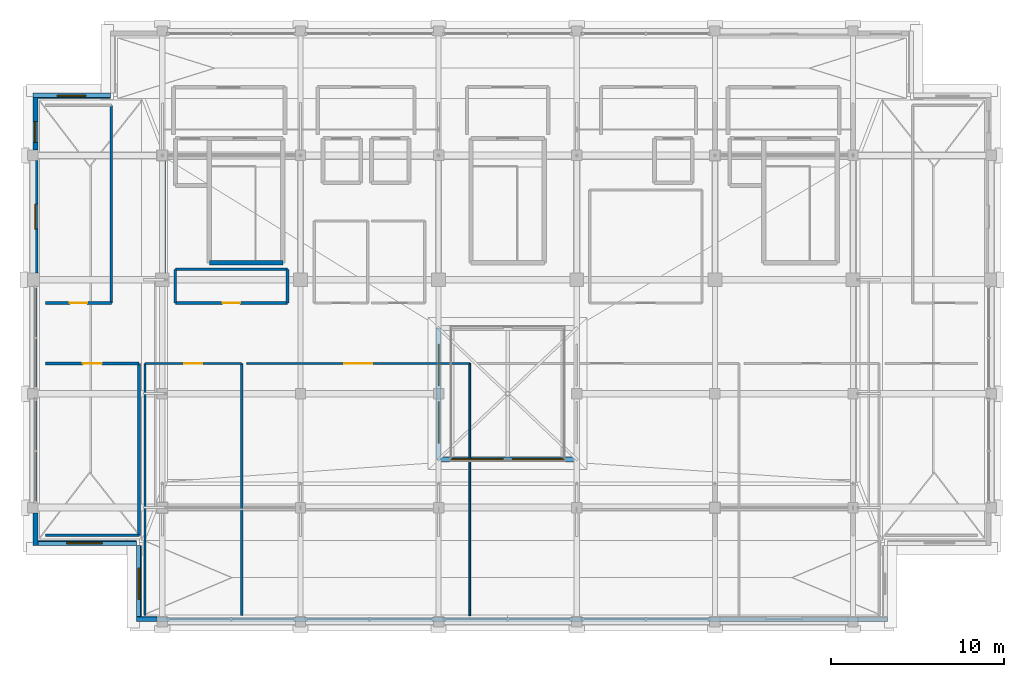
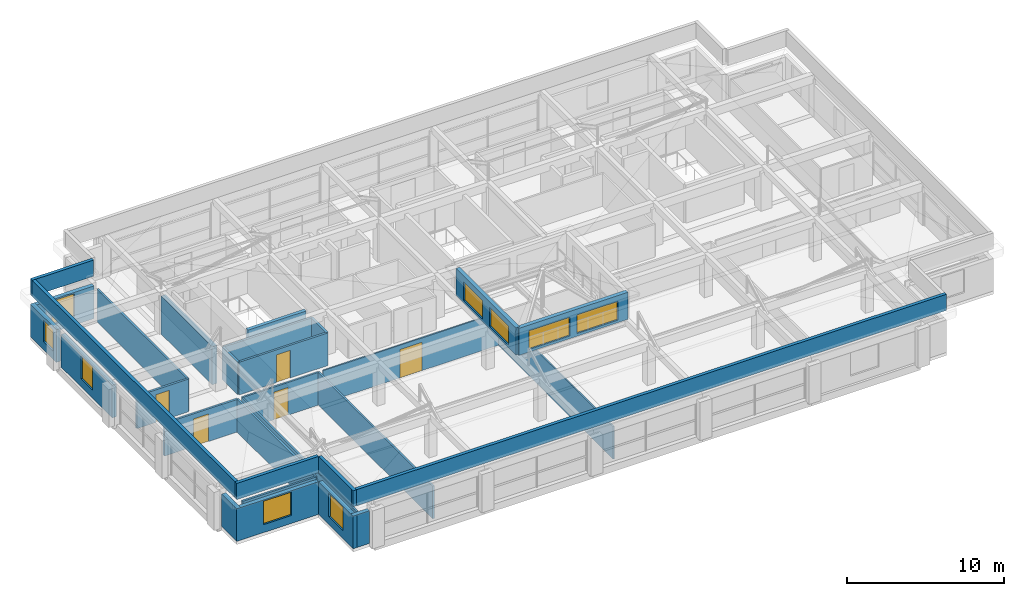
# One storey, part 34 of 39: 30 walls, 9 windows, 5 doors, 14 openings.
"""IFC4 building model written with IfcOpenShell, lengths in metres."""

from ifc_helpers import new_model, si_unit, direction, frame, frame_2d, origin, place, context, subcontext, project, spatial, rectangle, extrude, material, layer, layer_set, type_object, element, fill, save


model = new_model("IFC4")

# Units and contexts
model_context = context("Model", 3, precision=1e-05, world=origin(), true_north=direction((0.0, 1.0)))
body_context = subcontext(model_context, "Body", "Model", "MODEL_VIEW")
ifc_project = project(units=[si_unit("LENGTHUNIT", "METRE"), si_unit("AREAUNIT", "SQUARE_METRE"), si_unit("VOLUMEUNIT", "CUBIC_METRE"), si_unit("PLANEANGLEUNIT", "RADIAN"), si_unit("MASSUNIT", "GRAM", prefix="KILO")], contexts=[model_context])

# Site, building, storey
site_placement = place(None, origin())
site = spatial("IfcSite", under=ifc_project, at=site_placement, CompositionType="ELEMENT")
building_placement = place(site_placement, origin())
building = spatial("IfcBuilding", under=site, at=building_placement, Name="Akrevak Sports Hall", CompositionType="ELEMENT")
storey_placement = place(building_placement, frame((0.0, 0.0, 66.550048828125)))
storey = spatial("IfcBuildingStorey", under=building, at=storey_placement, Name="L17", CompositionType="ELEMENT", Elevation=66.550048828125)

# Wall
ifc_material_1 = material(Name="Limestone Ashlar", Category="stone")
ifc_layer_1 = layer(ifc_material_1, 0.06005859375, Name="Limestone Ashlar")
ifc_material_2 = material(Name="Mineral Wool Thermal Insulation", Category="insulation")
ifc_layer_2 = layer(ifc_material_2, 0.090087890625, Name="Mineral Wool Thermal Insulation")
ifc_material_3 = material(Name="Concrete C40/50", Category="concrete")
ifc_layer_3 = layer(ifc_material_3, 0.14990234375, Name="Concrete C40/50")
ifc_layer_set_1 = layer_set([ifc_layer_1, ifc_layer_2, ifc_layer_3], Name="Limestone Ashlar / Mineral Wool Thermal Insulation / Concrete C40/50")
wall_type_1 = type_object("IfcWallType", Name="ARC-WL-EXT-300", PredefinedType="SOLIDWALL", material=ifc_layer_set_1)
wall_1_placement = place(storey_placement, frame((58.5, 35.550048828125, 0.0), z_axis=(0.0, 0.0, 1.0), x_axis=(1.0, 0.0, 0.0)))
element("IfcWall", 1, at=wall_1_placement, inside=storey, type_object=wall_type_1, Name="Tower Stone Facade Wall L17-S01", PredefinedType="SOLIDWALL", context=body_context, shape_type="SweptSolid", body=[
    extrude(rectangle(XDim=1.199951171875, YDim=0.300048828125, at=frame_2d((0.60009765625, 0.0))), origin(), (0.0, 0.0, 1.0), 2.530029296875),
])

# Wall, opening, window
wall_2_placement = place(storey_placement, frame((57.0, 65.85009765625, 0.0), z_axis=(0.0, 0.0, 1.0), x_axis=(-1.0, 0.0, 0.0)))
wall_2 = element("IfcWall", 2, at=wall_2_placement, inside=storey, type_object=wall_type_1, Name="Tower Stone Facade Wall L17-N25", PredefinedType="SOLIDWALL", context=body_context, shape_type="SweptSolid", body=[
    extrude(rectangle(XDim=4.5, YDim=0.300048828125, at=frame_2d((2.25, 0.0))), origin(), (0.0, 0.0, 1.0), 2.530029296875),
])
opening_1_placement = place(wall_2_placement, frame((1.425048828125, 0.0, 0.6201171875)))
opening_1 = element("IfcOpeningElement", 3, at=opening_1_placement, cuts=wall_2, Name="Opening WN-58", PredefinedType="OPENING", context=body_context, shape_type="SweptSolid", body=[
    extrude(rectangle(XDim=1.64990234375, YDim=1.81005859375, at=frame_2d((0.824951171875, 0.905029296875))), frame((0.0, 0.162109375, 0.0), z_axis=(0.0, -1.0, 0.0), x_axis=(1.0, 0.0, 0.0)), (0.0, 0.0, 1.0), 0.323974609375),
])
ifc_material_4 = material(Name="Thermally Broken Bronze Frame & Double Low-E Glass", Category="glass")
window_type_1 = type_object("IfcWindowType", Name="ARC-WIN-SZ-1650x1810", PartitioningType="SINGLE_PANEL", PredefinedType="WINDOW", material=ifc_material_4)
window_1_placement = place(opening_1_placement, origin())
window_1 = element("IfcWindow", 4, at=window_1_placement, inside=storey, type_object=window_type_1, Name="Tower Window L17-N25", OverallHeight=1.81005859375, OverallWidth=1.64990234375, PartitioningType="SINGLE_PANEL", PredefinedType="WINDOW", context=body_context, shape_type="SweptSolid", body=[
    extrude(rectangle(XDim=1.64990234375, YDim=1.81005859375, at=frame_2d((0.824951171875, 0.905029296875))), frame((0.0, 0.030029296875, 0.0), z_axis=(0.0, -1.0, 0.0), x_axis=(1.0, 0.0, 0.0)), (0.0, 0.0, 1.0), 0.06005859375),
])
fill(opening_1, window_1)

wall_3_placement = place(storey_placement, frame((52.64990234375, 66.0, 0.0), z_axis=(0.0, 0.0, 1.0), x_axis=(0.0, -1.0, 0.0)))
wall_3 = element("IfcWall", 5, at=wall_3_placement, inside=storey, type_object=wall_type_1, Name="Tower Stone Facade Wall L17-W26", PredefinedType="SOLIDWALL", context=body_context, shape_type="SweptSolid", body=[
    extrude(rectangle(XDim=3.300048828125, YDim=0.300048828125, at=frame_2d((1.64990234375, 0.0))), origin(), (0.0, 0.0, 1.0), 2.530029296875),
])
opening_2_placement = place(wall_3_placement, frame((1.64990234375, 0.0, 0.6201171875)))
opening_2 = element("IfcOpeningElement", 6, at=opening_2_placement, cuts=wall_3, Name="Opening WN-45", PredefinedType="OPENING", context=body_context, shape_type="SweptSolid", body=[
    extrude(rectangle(XDim=1.199951171875, YDim=1.64990234375, at=frame_2d((0.60009765625, 0.824951171875))), frame((0.0, 0.162109375, 0.0), z_axis=(0.0, -1.0, 0.0), x_axis=(1.0, 0.0, 0.0)), (0.0, 0.0, 1.0), 0.323974609375),
])
window_type_2 = type_object("IfcWindowType", Name="ARC-WIN-SZ-1200x1650", PartitioningType="SINGLE_PANEL", PredefinedType="WINDOW", material=ifc_material_4)
window_2_placement = place(opening_2_placement, origin())
window_2 = element("IfcWindow", 7, at=window_2_placement, inside=storey, type_object=window_type_2, Name="Tower Window L17-W26", OverallHeight=1.64990234375, OverallWidth=1.199951171875, PartitioningType="SINGLE_PANEL", PredefinedType="WINDOW", context=body_context, shape_type="SweptSolid", body=[
    extrude(rectangle(XDim=1.199951171875, YDim=1.64990234375, at=frame_2d((0.60009765625, 0.824951171875))), frame((0.0, 0.030029296875, 0.0), z_axis=(0.0, -1.0, 0.0), x_axis=(1.0, 0.0, 0.0)), (0.0, 0.0, 1.0), 0.06005859375),
])
fill(opening_2, window_2)

wall_4_placement = place(storey_placement, frame((52.64990234375, 62.10009765625, 0.0), z_axis=(0.0, 0.0, 1.0), x_axis=(0.0, -1.0, 0.0)))
wall_4 = element("IfcWall", 8, at=wall_4_placement, inside=storey, type_object=wall_type_1, Name="Tower Stone Facade Wall L17-W27", PredefinedType="SOLIDWALL", context=body_context, shape_type="SweptSolid", body=[
    extrude(rectangle(XDim=6.5, YDim=0.300048828125, at=frame_2d((3.25, 0.0))), origin(), (0.0, 0.0, 1.0), 2.530029296875),
])
opening_3_placement = place(wall_4_placement, frame((2.52490234375, 0.0, 0.6201171875)))
opening_3 = element("IfcOpeningElement", 9, at=opening_3_placement, cuts=wall_4, Name="Opening WN-51", PredefinedType="OPENING", context=body_context, shape_type="SweptSolid", body=[
    extrude(rectangle(XDim=1.449951171875, YDim=1.81005859375, at=frame_2d((0.72509765625, 0.905029296875))), frame((0.0, 0.162109375, 0.0), z_axis=(0.0, -1.0, 0.0), x_axis=(1.0, 0.0, 0.0)), (0.0, 0.0, 1.0), 0.323974609375),
])
window_type_3 = type_object("IfcWindowType", Name="ARC-WIN-SZ-1450x1810", PartitioningType="SINGLE_PANEL", PredefinedType="WINDOW", material=ifc_material_4)
window_3_placement = place(opening_3_placement, origin())
window_3 = element("IfcWindow", 10, at=window_3_placement, inside=storey, type_object=window_type_3, Name="Tower Window L17-W27", OverallHeight=1.81005859375, OverallWidth=1.449951171875, PartitioningType="SINGLE_PANEL", PredefinedType="WINDOW", context=body_context, shape_type="SweptSolid", body=[
    extrude(rectangle(XDim=1.449951171875, YDim=1.81005859375, at=frame_2d((0.72509765625, 0.905029296875))), frame((0.0, 0.030029296875, 0.0), z_axis=(0.0, -1.0, 0.0), x_axis=(1.0, 0.0, 0.0)), (0.0, 0.0, 1.0), 0.06005859375),
])
fill(opening_3, window_3)

# Wall
wall_5_placement = place(storey_placement, frame((52.64990234375, 41.699951171875, 0.0), z_axis=(0.0, 0.0, 1.0), x_axis=(0.0, -1.0, 0.0)))
element("IfcWall", 11, at=wall_5_placement, inside=storey, type_object=wall_type_1, Name="Tower Stone Facade Wall L17-W30", PredefinedType="SOLIDWALL", context=body_context, shape_type="SweptSolid", body=[
    extrude(rectangle(XDim=1.89990234375, YDim=0.300048828125, at=frame_2d((0.949951171875, 0.0))), origin(), (0.0, 0.0, 1.0), 2.530029296875),
])

# Wall, opening, window
wall_6_placement = place(storey_placement, frame((52.5, 39.949951171875, 0.0), z_axis=(0.0, 0.0, 1.0), x_axis=(1.0, 0.0, 0.0)))
wall_6 = element("IfcWall", 12, at=wall_6_placement, inside=storey, type_object=wall_type_1, Name="Tower Stone Facade Wall L17-S31", PredefinedType="SOLIDWALL", context=body_context, shape_type="SweptSolid", body=[
    extrude(rectangle(XDim=6.0, YDim=0.300048828125, at=frame_2d((3.0, 0.0))), origin(), (0.0, 0.0, 1.0), 2.530029296875),
])
opening_4_placement = place(wall_6_placement, frame((1.97509765625, 0.0, 0.6201171875)))
opening_4 = element("IfcOpeningElement", 13, at=opening_4_placement, cuts=wall_6, Name="Opening WN-53", PredefinedType="OPENING", context=body_context, shape_type="SweptSolid", body=[
    extrude(rectangle(XDim=2.050048828125, YDim=1.81005859375, at=frame_2d((1.02490234375, 0.905029296875))), frame((0.0, 0.162109375, 0.0), z_axis=(0.0, -1.0, 0.0), x_axis=(1.0, 0.0, 0.0)), (0.0, 0.0, 1.0), 0.323974609375),
])
window_type_4 = type_object("IfcWindowType", Name="ARC-WIN-SZ-2050x1810", PartitioningType="SINGLE_PANEL", PredefinedType="WINDOW", material=ifc_material_4)
window_4_placement = place(opening_4_placement, origin())
window_4 = element("IfcWindow", 14, at=window_4_placement, inside=storey, type_object=window_type_4, Name="Tower Window L17-S31", OverallHeight=1.81005859375, OverallWidth=2.050048828125, PartitioningType="SINGLE_PANEL", PredefinedType="WINDOW", context=body_context, shape_type="SweptSolid", body=[
    extrude(rectangle(XDim=2.050048828125, YDim=1.81005859375, at=frame_2d((1.02490234375, 0.905029296875))), frame((0.0, 0.030029296875, 0.0), z_axis=(0.0, -1.0, 0.0), x_axis=(1.0, 0.0, 0.0)), (0.0, 0.0, 1.0), 0.06005859375),
])
fill(opening_4, window_4)

wall_7_placement = place(storey_placement, frame((58.64990234375, 39.800048828125, 0.0), z_axis=(0.0, 0.0, 1.0), x_axis=(0.0, -1.0, 0.0)))
wall_7 = element("IfcWall", 15, at=wall_7_placement, inside=storey, type_object=wall_type_1, Name="Tower Stone Facade Wall L17-W32", PredefinedType="SOLIDWALL", context=body_context, shape_type="SweptSolid", body=[
    extrude(rectangle(XDim=4.400146484375, YDim=0.300048828125, at=frame_2d((2.2001953125, 0.0))), origin(), (0.0, 0.0, 1.0), 2.530029296875),
])
opening_5_placement = place(wall_7_placement, frame((1.300048828125, 0.0, 0.6201171875)))
opening_5 = element("IfcOpeningElement", 16, at=opening_5_placement, cuts=wall_7, Name="Opening WN-54", PredefinedType="OPENING", context=body_context, shape_type="SweptSolid", body=[
    extrude(rectangle(XDim=1.800048828125, YDim=1.81005859375, at=frame_2d((0.89990234375, 0.905029296875))), frame((0.0, 0.162109375, 0.0), z_axis=(0.0, -1.0, 0.0), x_axis=(1.0, 0.0, 0.0)), (0.0, 0.0, 1.0), 0.323974609375),
])
window_type_5 = type_object("IfcWindowType", Name="ARC-WIN-SZ-1800x1810", PartitioningType="SINGLE_PANEL", PredefinedType="WINDOW", material=ifc_material_4)
window_5_placement = place(opening_5_placement, origin())
window_5 = element("IfcWindow", 17, at=window_5_placement, inside=storey, type_object=window_type_5, Name="Tower Window L17-W32", OverallHeight=1.81005859375, OverallWidth=1.800048828125, PartitioningType="SINGLE_PANEL", PredefinedType="WINDOW", context=body_context, shape_type="SweptSolid", body=[
    extrude(rectangle(XDim=1.800048828125, YDim=1.81005859375, at=frame_2d((0.89990234375, 0.905029296875))), frame((0.0, 0.030029296875, 0.0), z_axis=(0.0, -1.0, 0.0), x_axis=(1.0, 0.0, 0.0)), (0.0, 0.0, 1.0), 0.06005859375),
])
fill(opening_5, window_5)

# Walls
ifc_layer_4 = layer(ifc_material_1, 0.050048828125, Name="Limestone Ashlar")
ifc_layer_5 = layer(ifc_material_2, 0.0400390625, Name="Mineral Wool Thermal Insulation")
ifc_layer_6 = layer(ifc_material_3, 0.14990234375, Name="Concrete C40/50")
ifc_layer_set_2 = layer_set([ifc_layer_4, ifc_layer_5, ifc_layer_6], Name="Limestone Ashlar / Mineral Wool Thermal Insulation / Concrete C40/50")
wall_type_2 = type_object("IfcWallType", Name="ARC-WL-PAR-240", PredefinedType="PARAPET", material=ifc_layer_set_2)
wall_8_placement = place(storey_placement, frame((58.5, 35.52001953125, 3.25), z_axis=(0.0, 0.0, 1.0), x_axis=(1.0, 0.0, 0.0)))
element("IfcWall", 18, at=wall_8_placement, inside=storey, type_object=wall_type_2, Name="Crown Main Roof Balustrade Parapet 1", PredefinedType="PARAPET", context=body_context, shape_type="SweptSolid", body=[
    extrude(rectangle(XDim=43.5, YDim=0.239990234375, at=frame_2d((21.75, 0.0))), origin(), (0.0, 0.0, 1.0), 1.25),
])
wall_9_placement = place(storey_placement, frame((57.0, 65.8798828125, 3.25), z_axis=(0.0, 0.0, 1.0), x_axis=(-1.0, 0.0, 0.0)))
element("IfcWall", 19, at=wall_9_placement, inside=storey, type_object=wall_type_2, Name="Crown Main Roof Balustrade Parapet 9", PredefinedType="PARAPET", context=body_context, shape_type="SweptSolid", body=[
    extrude(rectangle(XDim=4.5, YDim=0.239990234375, at=frame_2d((2.25, 0.0))), origin(), (0.0, 0.0, 1.0), 1.25),
])
wall_10_placement = place(storey_placement, frame((52.6201171875, 66.0, 3.25), z_axis=(0.0, 0.0, 1.0), x_axis=(0.0, -1.0, 0.0)))
element("IfcWall", 20, at=wall_10_placement, inside=storey, type_object=wall_type_2, Name="Crown Main Roof Balustrade Parapet 10", PredefinedType="PARAPET", context=body_context, shape_type="SweptSolid", body=[
    extrude(rectangle(XDim=26.199951171875, YDim=0.239990234375, at=frame_2d((13.10009765625, 0.0))), origin(), (0.0, 0.0, 1.0), 1.25),
])
wall_11_placement = place(storey_placement, frame((52.5, 39.919921875, 3.25), z_axis=(0.0, 0.0, 1.0), x_axis=(1.0, 0.0, 0.0)))
element("IfcWall", 21, at=wall_11_placement, inside=storey, type_object=wall_type_2, Name="Crown Main Roof Balustrade Parapet 11", PredefinedType="PARAPET", context=body_context, shape_type="SweptSolid", body=[
    extrude(rectangle(XDim=6.0, YDim=0.239990234375, at=frame_2d((3.0, 0.0))), origin(), (0.0, 0.0, 1.0), 1.25),
])
wall_12_placement = place(storey_placement, frame((58.6201171875, 39.800048828125, 3.25), z_axis=(0.0, 0.0, 1.0), x_axis=(0.0, -1.0, 0.0)))
element("IfcWall", 22, at=wall_12_placement, inside=storey, type_object=wall_type_2, Name="Crown Main Roof Balustrade Parapet 12", PredefinedType="PARAPET", context=body_context, shape_type="SweptSolid", body=[
    extrude(rectangle(XDim=4.400146484375, YDim=0.239990234375, at=frame_2d((2.2001953125, 0.0))), origin(), (0.0, 0.0, 1.0), 1.25),
])

# Wall, openings, windows
ifc_layer_7 = layer(ifc_material_1, 0.06005859375, Name="Limestone Ashlar")
ifc_layer_8 = layer(ifc_material_2, 0.0400390625, Name="Mineral Wool Thermal Insulation")
ifc_layer_9 = layer(ifc_material_3, 0.179931640625, Name="Concrete C40/50")
ifc_layer_set_3 = layer_set([ifc_layer_7, ifc_layer_8, ifc_layer_9], Name="Limestone Ashlar / Mineral Wool Thermal Insulation / Concrete C40/50")
wall_type_3 = type_object("IfcWallType", Name="ARC-WL-PAR-280", PredefinedType="PARAPET", material=ifc_layer_set_3)
wall_13_placement = place(storey_placement, frame((76.0, 44.800048828125, 3.25), z_axis=(0.0, 0.0, 1.0), x_axis=(1.0, 0.0, 0.0)))
wall_13 = element("IfcWall", 23, at=wall_13_placement, inside=storey, type_object=wall_type_3, Name="Crown Beaux-Arts Cupola Lantern Drum S Wall", PredefinedType="PARAPET", context=body_context, shape_type="SweptSolid", body=[
    extrude(rectangle(XDim=8.0, YDim=0.280029296875, at=frame_2d((4.0, 0.0))), origin(), (0.0, 0.0, 1.0), 2.099853515625),
])
opening_6_placement = place(wall_13_placement, frame((0.739990234375, 0.0, 0.199951171875)))
opening_6 = element("IfcOpeningElement", 24, at=opening_6_placement, cuts=wall_13, Name="Opening WN-62", PredefinedType="OPENING", context=body_context, shape_type="SweptSolid", body=[
    extrude(rectangle(XDim=3.0, YDim=1.449951171875, at=frame_2d((1.5, 0.72509765625))), frame((0.0, 0.15185546875, 0.0), z_axis=(0.0, -1.0, 0.0), x_axis=(1.0, 0.0, 0.0)), (0.0, 0.0, 1.0), 0.303955078125),
])
opening_7_placement = place(wall_13_placement, frame((4.260009765625, 0.0, 0.199951171875)))
opening_7 = element("IfcOpeningElement", 25, at=opening_7_placement, cuts=wall_13, Name="Opening WN-62", PredefinedType="OPENING", context=body_context, shape_type="SweptSolid", body=[
    extrude(rectangle(XDim=3.0, YDim=1.449951171875, at=frame_2d((1.5, 0.72509765625))), frame((0.0, 0.15185546875, 0.0), z_axis=(0.0, -1.0, 0.0), x_axis=(1.0, 0.0, 0.0)), (0.0, 0.0, 1.0), 0.303955078125),
])
window_type_6 = type_object("IfcWindowType", Name="ARC-WIN-SZ-3000x1450", PartitioningType="SINGLE_PANEL", PredefinedType="SKYLIGHT", material=ifc_material_4)
window_6_placement = place(opening_6_placement, origin())
window_6 = element("IfcWindow", 26, at=window_6_placement, inside=storey, type_object=window_type_6, Name="Cupola Lantern Skylight S.1", OverallHeight=1.449951171875, OverallWidth=3.0, PartitioningType="SINGLE_PANEL", PredefinedType="SKYLIGHT", context=body_context, shape_type="SweptSolid", body=[
    extrude(rectangle(XDim=3.0, YDim=1.449951171875, at=frame_2d((1.5, 0.72509765625))), frame((0.0, 0.030029296875, 0.0), z_axis=(0.0, -1.0, 0.0), x_axis=(1.0, 0.0, 0.0)), (0.0, 0.0, 1.0), 0.06005859375),
])
fill(opening_6, window_6)
window_7_placement = place(opening_7_placement, origin())
window_7 = element("IfcWindow", 27, at=window_7_placement, inside=storey, type_object=window_type_6, Name="Cupola Lantern Skylight S.2", OverallHeight=1.449951171875, OverallWidth=3.0, PartitioningType="SINGLE_PANEL", PredefinedType="SKYLIGHT", context=body_context, shape_type="SweptSolid", body=[
    extrude(rectangle(XDim=3.0, YDim=1.449951171875, at=frame_2d((1.5, 0.72509765625))), frame((0.0, 0.030029296875, 0.0), z_axis=(0.0, -1.0, 0.0), x_axis=(1.0, 0.0, 0.0)), (0.0, 0.0, 1.0), 0.06005859375),
])
fill(opening_7, window_7)

wall_14_placement = place(storey_placement, frame((76.0, 52.39990234375, 3.25), z_axis=(0.0, 0.0, 1.0), x_axis=(0.0, -1.0, 0.0)))
wall_14 = element("IfcWall", 28, at=wall_14_placement, inside=storey, type_object=wall_type_3, Name="Crown Beaux-Arts Cupola Lantern Drum W Wall", PredefinedType="PARAPET", context=body_context, shape_type="SweptSolid", body=[
    extrude(rectangle(XDim=7.599853515625, YDim=0.280029296875, at=frame_2d((3.7998046875, 0.0))), origin(), (0.0, 0.0, 1.0), 2.099853515625),
])
opening_8_placement = place(wall_14_placement, frame((0.927978515625, 0.0, 0.199951171875)))
opening_8 = element("IfcOpeningElement", 29, at=opening_8_placement, cuts=wall_14, Name="Opening WN-63", PredefinedType="OPENING", context=body_context, shape_type="SweptSolid", body=[
    extrude(rectangle(XDim=2.39990234375, YDim=1.449951171875, at=frame_2d((1.199951171875, 0.72509765625))), frame((0.0, 0.15185546875, 0.0), z_axis=(0.0, -1.0, 0.0), x_axis=(1.0, 0.0, 0.0)), (0.0, 0.0, 1.0), 0.303955078125),
])
opening_9_placement = place(wall_14_placement, frame((4.27197265625, 0.0, 0.199951171875)))
opening_9 = element("IfcOpeningElement", 30, at=opening_9_placement, cuts=wall_14, Name="Opening WN-63", PredefinedType="OPENING", context=body_context, shape_type="SweptSolid", body=[
    extrude(rectangle(XDim=2.39990234375, YDim=1.449951171875, at=frame_2d((1.199951171875, 0.72509765625))), frame((0.0, 0.15185546875, 0.0), z_axis=(0.0, -1.0, 0.0), x_axis=(1.0, 0.0, 0.0)), (0.0, 0.0, 1.0), 0.303955078125),
])
window_type_7 = type_object("IfcWindowType", Name="ARC-WIN-SZ-2400x1450", PartitioningType="SINGLE_PANEL", PredefinedType="SKYLIGHT", material=ifc_material_4)
window_8_placement = place(opening_8_placement, origin())
window_8 = element("IfcWindow", 31, at=window_8_placement, inside=storey, type_object=window_type_7, Name="Cupola Lantern Skylight W.1", OverallHeight=1.449951171875, OverallWidth=2.39990234375, PartitioningType="SINGLE_PANEL", PredefinedType="SKYLIGHT", context=body_context, shape_type="SweptSolid", body=[
    extrude(rectangle(XDim=2.39990234375, YDim=1.449951171875, at=frame_2d((1.199951171875, 0.72509765625))), frame((0.0, 0.030029296875, 0.0), z_axis=(0.0, -1.0, 0.0), x_axis=(1.0, 0.0, 0.0)), (0.0, 0.0, 1.0), 0.06005859375),
])
fill(opening_8, window_8)
window_9_placement = place(opening_9_placement, origin())
window_9 = element("IfcWindow", 32, at=window_9_placement, inside=storey, type_object=window_type_7, Name="Cupola Lantern Skylight W.2", OverallHeight=1.449951171875, OverallWidth=2.39990234375, PartitioningType="SINGLE_PANEL", PredefinedType="SKYLIGHT", context=body_context, shape_type="SweptSolid", body=[
    extrude(rectangle(XDim=2.39990234375, YDim=1.449951171875, at=frame_2d((1.199951171875, 0.72509765625))), frame((0.0, 0.030029296875, 0.0), z_axis=(0.0, -1.0, 0.0), x_axis=(1.0, 0.0, 0.0)), (0.0, 0.0, 1.0), 0.06005859375),
])
fill(opening_9, window_9)

# Wall, opening, door
ifc_material_5 = material(Name="Sanitary Cubicle Partition", Category="gypsum")
ifc_layer_10 = layer(ifc_material_5, 0.10009765625, Name="Sanitary Cubicle Partition")
ifc_layer_set_4 = layer_set([ifc_layer_10], Name="Sanitary Cubicle Partition")
wall_type_4 = type_object("IfcWallType", Name="ARC-WL-PRT-100", PredefinedType="PARTITIONING", material=ifc_layer_set_4)
wall_15_placement = place(storey_placement, frame((64.89990234375, 50.35009765625, 0.0), z_axis=(0.0, 0.0, 1.0), x_axis=(1.0, 0.0, 0.0)))
wall_15 = element("IfcWall", 33, at=wall_15_placement, inside=storey, type_object=wall_type_4, Name="Interior Partition Olympic Charter Council Chamber (L17) (N)", PredefinedType="PARTITIONING", context=body_context, shape_type="SweptSolid", body=[
    extrude(rectangle(XDim=12.900146484375, YDim=0.10009765625, at=frame_2d((6.4501953125, 0.0))), origin(), (0.0, 0.0, 1.0), 2.530029296875),
])
opening_10_placement = place(wall_15_placement, frame((5.64990234375, 0.0, 0.0)))
opening_10 = element("IfcOpeningElement", 34, at=opening_10_placement, cuts=wall_15, Name="Opening ID-03", PredefinedType="OPENING", context=body_context, shape_type="SweptSolid", body=[
    extrude(rectangle(XDim=1.60009765625, YDim=2.199951171875, at=frame_2d((0.800048828125, 1.10009765625))), frame((0.0, 0.06201171875, 0.0), z_axis=(0.0, -1.0, 0.0), x_axis=(1.0, 0.0, 0.0)), (0.0, 0.0, 1.0), 0.1240234375),
])
ifc_material_6 = material(Name="Hardwood Oak & Safety Glass", Category="wood")
door_type_1 = type_object("IfcDoorType", Name="ARC-DR-HALL-160x220", OperationType="DOUBLE_DOOR_SINGLE_SWING", PredefinedType="DOOR", material=ifc_material_6)
door_1_placement = place(opening_10_placement, origin())
door_1 = element("IfcDoor", 35, at=door_1_placement, inside=storey, type_object=door_type_1, Name="Door to Olympic Charter Council Chamber (L17)", OperationType="DOUBLE_DOOR_SINGLE_SWING", OverallHeight=2.199951171875, OverallWidth=1.60009765625, PredefinedType="DOOR", context=body_context, shape_type="SweptSolid", body=[
    extrude(rectangle(XDim=1.60009765625, YDim=2.199951171875, at=frame_2d((0.800048828125, 1.10009765625))), frame((0.0, 0.02490234375, 0.0), z_axis=(0.0, -1.0, 0.0), x_axis=(1.0, 0.0, 0.0)), (0.0, 0.0, 1.0), 0.050048828125),
])
fill(opening_10, door_1)

# Wall
wall_16_placement = place(storey_placement, frame((77.800048828125, 35.75, 0.0), z_axis=(0.0, 0.0, 1.0), x_axis=(0.0, 1.0, 0.0)))
element("IfcWall", 36, at=wall_16_placement, inside=storey, type_object=wall_type_4, Name="Interior Partition Olympic Charter Council Chamber (L17) (E)", PredefinedType="PARTITIONING", context=body_context, shape_type="SweptSolid", body=[
    extrude(rectangle(XDim=14.60009765625, YDim=0.10009765625, at=frame_2d((7.300048828125, 0.0))), origin(), (0.0, 0.0, 1.0), 2.530029296875),
])

# Wall, opening, door
ifc_material_7 = material(Name="Acoustic Metal Stud Partition", Category="gypsum")
ifc_layer_11 = layer(ifc_material_7, 0.1298828125, Name="Acoustic Metal Stud Partition")
ifc_layer_set_5 = layer_set([ifc_layer_11], Name="Acoustic Metal Stud Partition")
wall_type_5 = type_object("IfcWallType", Name="ARC-WL-PRT-130", PredefinedType="PARTITIONING", material=ifc_layer_set_5)
wall_17_placement = place(storey_placement, frame((59.0, 50.35009765625, 0.0), z_axis=(0.0, 0.0, 1.0), x_axis=(1.0, 0.0, 0.0)))
wall_17 = element("IfcWall", 37, at=wall_17_placement, inside=storey, type_object=wall_type_5, Name="Interior Partition High-Altitude Conditioning Clinic (L17) (N)", PredefinedType="PARTITIONING", context=body_context, shape_type="SweptSolid", body=[
    extrude(rectangle(XDim=5.60009765625, YDim=0.1298828125, at=frame_2d((2.800048828125, 0.0))), origin(), (0.0, 0.0, 1.0), 2.530029296875),
])
opening_11_placement = place(wall_17_placement, frame((2.27490234375, 0.0, 0.0)))
opening_11 = element("IfcOpeningElement", 38, at=opening_11_placement, cuts=wall_17, Name="Opening ID-05", PredefinedType="OPENING", context=body_context, shape_type="SweptSolid", body=[
    extrude(rectangle(XDim=1.050048828125, YDim=2.14990234375, at=frame_2d((0.52490234375, 1.074951171875))), frame((0.0, 0.076904296875, 0.0), z_axis=(0.0, -1.0, 0.0), x_axis=(1.0, 0.0, 0.0)), (0.0, 0.0, 1.0), 0.15380859375),
])
ifc_material_8 = material(Name="Hardwood Oak Acoustic Leaf", Category="wood")
door_type_2 = type_object("IfcDoorType", Name="ARC-DR-OFF-105x215", OperationType="NOTDEFINED", PredefinedType="DOOR", material=ifc_material_8)
door_2_placement = place(opening_11_placement, frame((1.050048828125, 0.0, 0.0), z_axis=(0.0, 0.0, 1.0), x_axis=(-1.0, 0.0, 0.0)))
door_2 = element("IfcDoor", 39, at=door_2_placement, inside=storey, type_object=door_type_2, Name="Door to High-Altitude Conditioning Clinic (L17)", OperationType="SINGLE_SWING_RIGHT", OverallHeight=2.14990234375, OverallWidth=1.050048828125, PredefinedType="DOOR", context=body_context, shape_type="SweptSolid", body=[
    extrude(rectangle(XDim=1.050048828125, YDim=2.14990234375, at=frame_2d((0.52490234375, 1.074951171875))), frame((0.0, 0.02490234375, 0.0), z_axis=(0.0, -1.0, 0.0), x_axis=(1.0, 0.0, 0.0)), (0.0, 0.0, 1.0), 0.050048828125),
])
fill(opening_11, door_2)

# Walls
for number, where, z_axis, x_axis, name in (
    (40, (59.0, 35.75, 0.0), (0.0, 0.0, 1.0), (0.0, 1.0, 0.0), "Interior Partition High-Altitude Conditioning Clinic (L17) (W)"),
    (41, (64.60009765625, 35.75, 0.0), (0.0, 0.0, 1.0), (0.0, 1.0, 0.0), "Interior Partition High-Altitude Conditioning Clinic (L17) (E)"),
):
    element("IfcWall", number, at=place(storey_placement, frame(where, z_axis=z_axis, x_axis=x_axis)), inside=storey, type_object=wall_type_5, Name=name, PredefinedType="PARTITIONING", context=body_context, shape_type="SweptSolid", body=[
        extrude(rectangle(XDim=14.60009765625, YDim=0.1298828125, at=frame_2d((7.300048828125, 0.0))), origin(), (0.0, 0.0, 1.0), 2.530029296875),
    ])
ifc_material_9 = material(Name="Double Stud Acoustic Gypsum Partition", Category="gypsum")
ifc_layer_12 = layer(ifc_material_9, 0.14990234375, Name="Double Stud Acoustic Gypsum Partition")
ifc_layer_set_6 = layer_set([ifc_layer_12], Name="Double Stud Acoustic Gypsum Partition")
wall_type_6 = type_object("IfcWallType", Name="ARC-WL-PRT-150", PredefinedType="PARTITIONING", material=ifc_layer_set_6)
wall_18_placement = place(storey_placement, frame((53.25, 40.39990234375, 0.0), z_axis=(0.0, 0.0, 1.0), x_axis=(1.0, 0.0, 0.0)))
element("IfcWall", 42, at=wall_18_placement, inside=storey, type_object=wall_type_6, Name="Interior Partition Executive Strategy Office West (L17) (S)", PredefinedType="PARTITIONING", context=body_context, shape_type="SweptSolid", body=[
    extrude(rectangle(XDim=5.39990234375, YDim=0.14990234375, at=frame_2d((2.699951171875, 0.0))), origin(), (0.0, 0.0, 1.0), 2.530029296875),
])

# Wall, opening, door
wall_19_placement = place(storey_placement, frame((53.25, 50.35009765625, 0.0), z_axis=(0.0, 0.0, 1.0), x_axis=(1.0, 0.0, 0.0)))
wall_19 = element("IfcWall", 43, at=wall_19_placement, inside=storey, type_object=wall_type_6, Name="Interior Partition Executive Strategy Office West (L17) (N)", PredefinedType="PARTITIONING", context=body_context, shape_type="SweptSolid", body=[
    extrude(rectangle(XDim=5.39990234375, YDim=0.14990234375, at=frame_2d((2.699951171875, 0.0))), origin(), (0.0, 0.0, 1.0), 2.530029296875),
])
opening_12_placement = place(wall_19_placement, frame((2.14990234375, 0.0, 0.0)))
opening_12 = element("IfcOpeningElement", 44, at=opening_12_placement, cuts=wall_19, Name="Opening ID-04", PredefinedType="OPENING", context=body_context, shape_type="SweptSolid", body=[
    extrude(rectangle(XDim=1.10009765625, YDim=2.14990234375, at=frame_2d((0.550048828125, 1.074951171875))), frame((0.0, 0.0869140625, 0.0), z_axis=(0.0, -1.0, 0.0), x_axis=(1.0, 0.0, 0.0)), (0.0, 0.0, 1.0), 0.173828125),
])
door_type_3 = type_object("IfcDoorType", Name="ARC-DR-OFF-110x215", OperationType="NOTDEFINED", PredefinedType="DOOR", material=ifc_material_8)
door_3_placement = place(opening_12_placement, frame((1.10009765625, 0.0, 0.0), z_axis=(0.0, 0.0, 1.0), x_axis=(-1.0, 0.0, 0.0)))
door_3 = element("IfcDoor", 45, at=door_3_placement, inside=storey, type_object=door_type_3, Name="Door to Executive Strategy Office West (L17)", OperationType="SINGLE_SWING_RIGHT", OverallHeight=2.14990234375, OverallWidth=1.10009765625, PredefinedType="DOOR", context=body_context, shape_type="SweptSolid", body=[
    extrude(rectangle(XDim=1.10009765625, YDim=2.14990234375, at=frame_2d((0.550048828125, 1.074951171875))), frame((0.0, 0.02490234375, 0.0), z_axis=(0.0, -1.0, 0.0), x_axis=(1.0, 0.0, 0.0)), (0.0, 0.0, 1.0), 0.050048828125),
])
fill(opening_12, door_3)

# Wall
wall_20_placement = place(storey_placement, frame((58.64990234375, 40.39990234375, 0.0), z_axis=(0.0, 0.0, 1.0), x_axis=(0.0, 1.0, 0.0)))
element("IfcWall", 46, at=wall_20_placement, inside=storey, type_object=wall_type_6, Name="Interior Partition Executive Strategy Office West (L17) (E)", PredefinedType="PARTITIONING", context=body_context, shape_type="SweptSolid", body=[
    extrude(rectangle(XDim=9.9501953125, YDim=0.14990234375, at=frame_2d((4.97509765625, 0.0))), origin(), (0.0, 0.0, 1.0), 2.530029296875),
])

# Wall, opening, door
wall_21_placement = place(storey_placement, frame((53.25, 53.85009765625, 0.0), z_axis=(0.0, 0.0, 1.0), x_axis=(1.0, 0.0, 0.0)))
wall_21 = element("IfcWall", 47, at=wall_21_placement, inside=storey, type_object=wall_type_6, Name="Interior Partition Federation Records Office West (L17) (S)", PredefinedType="PARTITIONING", context=body_context, shape_type="SweptSolid", body=[
    extrude(rectangle(XDim=3.800048828125, YDim=0.14990234375, at=frame_2d((1.89990234375, 0.0))), origin(), (0.0, 0.0, 1.0), 2.530029296875),
])
opening_13_placement = place(wall_21_placement, frame((1.39990234375, 0.0, 0.0)))
opening_13 = element("IfcOpeningElement", 48, at=opening_13_placement, cuts=wall_21, Name="Opening ID-06", PredefinedType="OPENING", context=body_context, shape_type="SweptSolid", body=[
    extrude(rectangle(XDim=1.0, YDim=2.14990234375, at=frame_2d((0.5, 1.074951171875))), frame((0.0, 0.0869140625, 0.0), z_axis=(0.0, -1.0, 0.0), x_axis=(1.0, 0.0, 0.0)), (0.0, 0.0, 1.0), 0.173828125),
])
door_type_4 = type_object("IfcDoorType", Name="ARC-DR-OFF-100x215", OperationType="NOTDEFINED", PredefinedType="DOOR", material=ifc_material_8)
door_4_placement = place(opening_13_placement, frame((1.0, 0.0, 0.0), z_axis=(0.0, 0.0, 1.0), x_axis=(-1.0, 0.0, 0.0)))
door_4 = element("IfcDoor", 49, at=door_4_placement, inside=storey, type_object=door_type_4, Name="Door to Federation Records Office West (L17)", OperationType="SINGLE_SWING_RIGHT", OverallHeight=2.14990234375, OverallWidth=1.0, PredefinedType="DOOR", context=body_context, shape_type="SweptSolid", body=[
    extrude(rectangle(XDim=1.0, YDim=2.14990234375, at=frame_2d((0.5, 1.074951171875))), frame((0.0, 0.02490234375, 0.0), z_axis=(0.0, -1.0, 0.0), x_axis=(1.0, 0.0, 0.0)), (0.0, 0.0, 1.0), 0.050048828125),
])
fill(opening_13, door_4)

# Wall
wall_22_placement = place(storey_placement, frame((57.050048828125, 53.85009765625, 0.0), z_axis=(0.0, 0.0, 1.0), x_axis=(0.0, 1.0, 0.0)))
element("IfcWall", 50, at=wall_22_placement, inside=storey, type_object=wall_type_6, Name="Interior Partition Federation Records Office West (L17) (E)", PredefinedType="PARTITIONING", context=body_context, shape_type="SweptSolid", body=[
    extrude(rectangle(XDim=11.449951171875, YDim=0.14990234375, at=frame_2d((5.72509765625, 0.0))), origin(), (0.0, 0.0, 1.0), 2.530029296875),
])

# Wall, opening, door
wall_23_placement = place(storey_placement, frame((60.75, 53.85009765625, 0.0), z_axis=(0.0, 0.0, 1.0), x_axis=(1.0, 0.0, 0.0)))
wall_23 = element("IfcWall", 51, at=wall_23_placement, inside=storey, type_object=wall_type_6, Name="Interior Partition Federation Technical Office West (L17) (S)", PredefinedType="PARTITIONING", context=body_context, shape_type="SweptSolid", body=[
    extrude(rectangle(XDim=6.5, YDim=0.14990234375, at=frame_2d((3.25, 0.0))), origin(), (0.0, 0.0, 1.0), 2.530029296875),
])
opening_14_placement = place(wall_23_placement, frame((2.75, 0.0, 0.0)))
opening_14 = element("IfcOpeningElement", 52, at=opening_14_placement, cuts=wall_23, Name="Opening ID-06", PredefinedType="OPENING", context=body_context, shape_type="SweptSolid", body=[
    extrude(rectangle(XDim=1.0, YDim=2.14990234375, at=frame_2d((0.5, 1.074951171875))), frame((0.0, 0.0869140625, 0.0), z_axis=(0.0, -1.0, 0.0), x_axis=(1.0, 0.0, 0.0)), (0.0, 0.0, 1.0), 0.173828125),
])
door_5_placement = place(opening_14_placement, origin())
door_5 = element("IfcDoor", 53, at=door_5_placement, inside=storey, type_object=door_type_4, Name="Door to Federation Technical Office West (L17)", OperationType="SINGLE_SWING_LEFT", OverallHeight=2.14990234375, OverallWidth=1.0, PredefinedType="DOOR", context=body_context, shape_type="SweptSolid", body=[
    extrude(rectangle(XDim=1.0, YDim=2.14990234375, at=frame_2d((0.5, 1.074951171875))), frame((0.0, 0.02490234375, 0.0), z_axis=(0.0, -1.0, 0.0), x_axis=(1.0, 0.0, 0.0)), (0.0, 0.0, 1.0), 0.050048828125),
])
fill(opening_14, door_5)

# Walls
wall_24_placement = place(storey_placement, frame((60.75, 55.800048828125, 0.0), z_axis=(0.0, 0.0, 1.0), x_axis=(1.0, 0.0, 0.0)))
element("IfcWall", 54, at=wall_24_placement, inside=storey, type_object=wall_type_6, Name="Interior Partition Federation Technical Office West (L17) (N)", PredefinedType="PARTITIONING", context=body_context, shape_type="SweptSolid", body=[
    extrude(rectangle(XDim=6.5, YDim=0.14990234375, at=frame_2d((3.25, 0.0))), origin(), (0.0, 0.0, 1.0), 2.530029296875),
])
for number, where, z_axis, x_axis, name in (
    (55, (60.75, 53.85009765625, 0.0), (0.0, 0.0, 1.0), (0.0, 1.0, 0.0), "Interior Partition Federation Technical Office West (L17) (W)"),
    (56, (67.25, 53.85009765625, 0.0), (0.0, 0.0, 1.0), (0.0, 1.0, 0.0), "Interior Partition Federation Technical Office West (L17) (E)"),
):
    element("IfcWall", number, at=place(storey_placement, frame(where, z_axis=z_axis, x_axis=x_axis)), inside=storey, type_object=wall_type_6, Name=name, PredefinedType="PARTITIONING", context=body_context, shape_type="SweptSolid", body=[
        extrude(rectangle(XDim=1.949951171875, YDim=0.14990234375, at=frame_2d((0.97509765625, 0.0))), origin(), (0.0, 0.0, 1.0), 2.530029296875),
    ])
ifc_material_10 = material(Name="Concrete C50/60", Category="concrete")
ifc_layer_13 = layer(ifc_material_10, 0.35009765625, Name="Concrete C50/60")
ifc_layer_set_7 = layer_set([ifc_layer_13], Name="Concrete C50/60")
wall_type_7 = type_object("IfcWallType", Name="STR-WL-CORE-350", PredefinedType="SHEAR", material=ifc_layer_set_7)
wall_25_placement = place(storey_placement, frame((60.0, 55.60009765625, 0.0), z_axis=(0.0, 0.0, 1.0), x_axis=(0.0, 1.0, 0.0)))
element("IfcWall", 57, at=wall_25_placement, inside=storey, type_object=wall_type_7, Name="Reinforced Concrete Shear Wall SW-W2 (L17)", PredefinedType="SHEAR", context=body_context, shape_type="SweptSolid", body=[
    extrude(rectangle(XDim=6.5, YDim=0.35009765625, at=frame_2d((3.25, 0.0))), origin(), (0.0, 0.0, 1.0), 2.949951171875),
])
ifc_layer_14 = layer(ifc_material_10, 0.25, Name="Concrete C50/60")
ifc_layer_set_8 = layer_set([ifc_layer_14], Name="Concrete C50/60")
wall_type_8 = type_object("IfcWallType", Name="STR-WL-STAIR-250", PredefinedType="SHEAR", material=ifc_layer_set_8)
wall_26_placement = place(storey_placement, frame((62.72509765625, 56.175048828125, 0.0), z_axis=(0.0, 0.0, 1.0), x_axis=(1.0, 0.0, 0.0)))
element("IfcWall", 58, at=wall_26_placement, inside=storey, type_object=wall_type_8, Name="Stair Core ST1 Shear Wall S (L17)", PredefinedType="SHEAR", context=body_context, shape_type="SweptSolid", body=[
    extrude(rectangle(XDim=4.25, YDim=0.25, at=frame_2d((2.125, 0.0))), origin(), (0.0, 0.0, 1.0), 2.949951171875),
])

save(model, "model.ifc")
